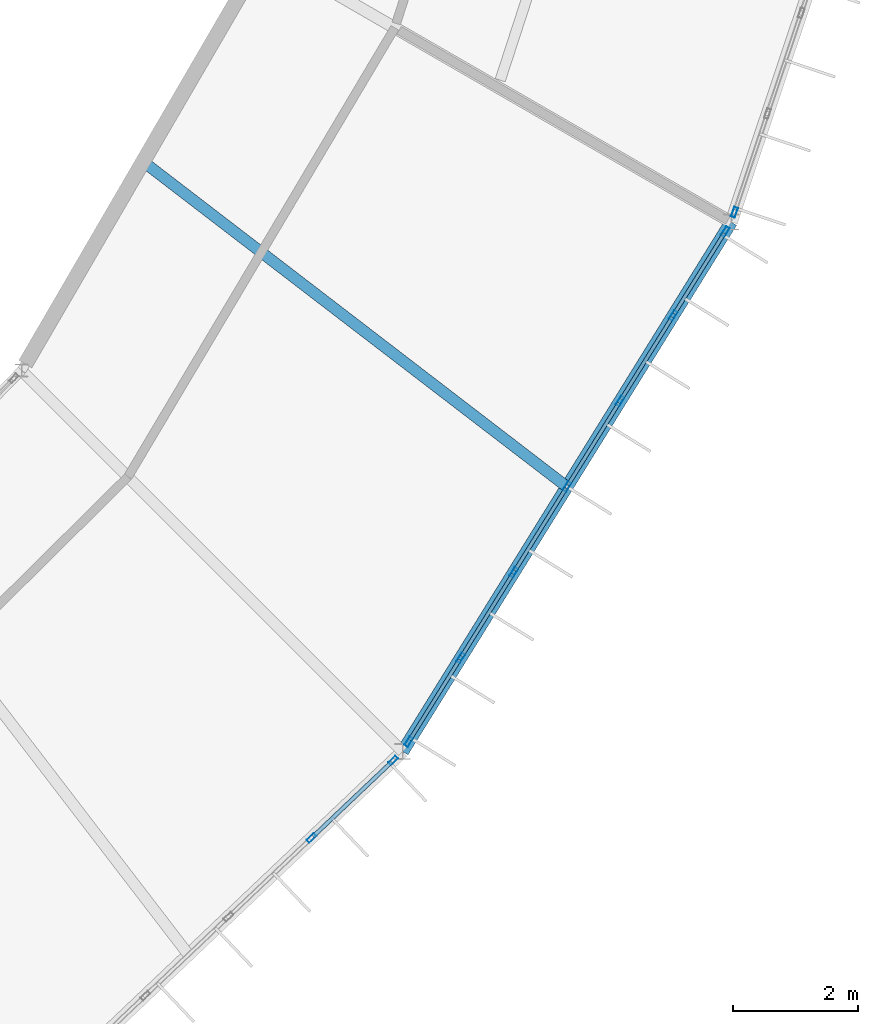
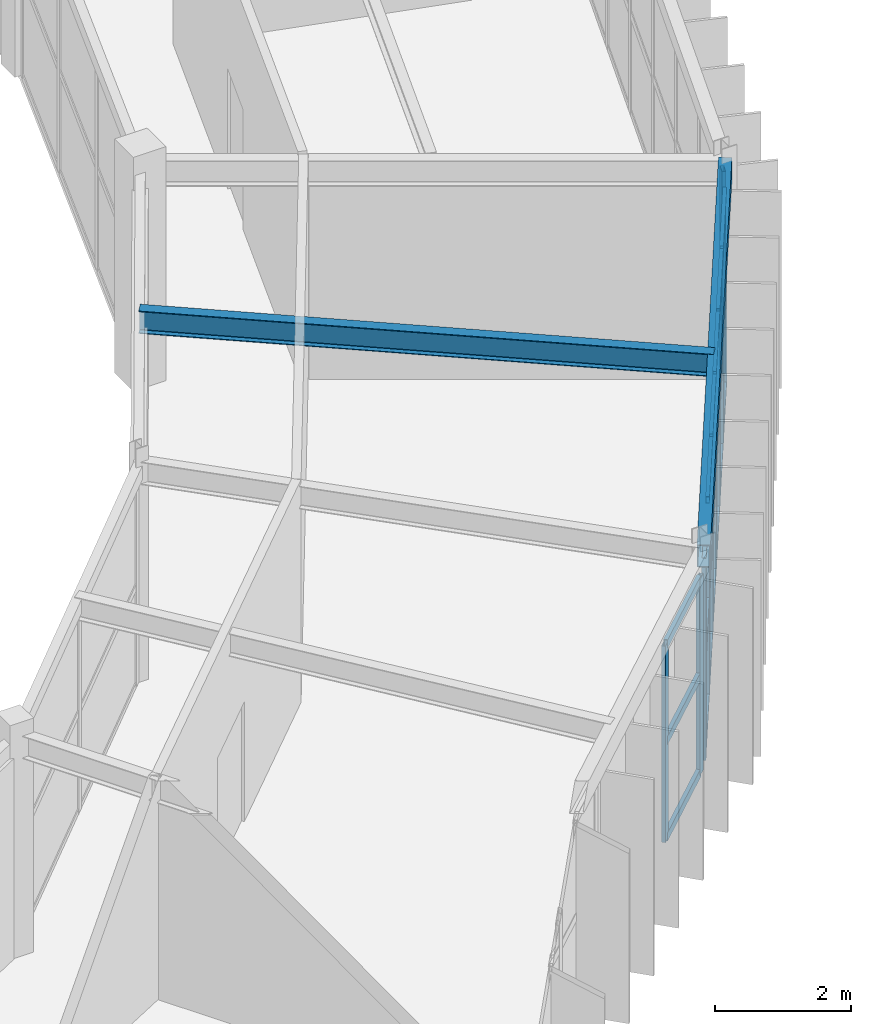
# One storey, part 40 of 106: 31 members, 2 beams, 3 elements without a shape of their own.
"""IFC4 building model written with IfcOpenShell, lengths in metres."""

from ifc_helpers import new_model, si_unit, direction, frame, origin, origin_2d, place, context, subcontext, project, spatial, hollow_rectangle, i_section, extrude, material, material_profile, profile_set, type_object, element, aggregate, save


model = new_model("IFC4")

# Units and contexts
model_context = context("Model", 3, precision=1e-05, world=origin(), true_north=direction((0.0, 1.0)))
body_context = subcontext(model_context, "Body", "Model", "MODEL_VIEW")
ifc_project = project(units=[si_unit("LENGTHUNIT", "METRE"), si_unit("AREAUNIT", "SQUARE_METRE"), si_unit("VOLUMEUNIT", "CUBIC_METRE"), si_unit("PLANEANGLEUNIT", "RADIAN"), si_unit("MASSUNIT", "GRAM", prefix="KILO")], contexts=[model_context])

# Site, building, storey
site_placement = place(None, origin())
site = spatial("IfcSite", under=ifc_project, at=site_placement, CompositionType="ELEMENT")
building_placement = place(site_placement, origin())
building = spatial("IfcBuilding", under=site, at=building_placement, Name="Karori Crest Natural Sciences Institute", CompositionType="ELEMENT")
storey_placement = place(building_placement, frame((0.0, 0.0, 25.89990234375)))
storey = spatial("IfcBuildingStorey", under=building, at=storey_placement, Name="L06", CompositionType="ELEMENT", Elevation=25.89990234375)

# Beams
ifc_material_1 = material(Name="Structural steel AS/NZS 3679.1 Grade 350", Category="steel")
ifc_material_profile_1 = material_profile(ifc_material_1, i_section(OverallWidth=0.177978515625, OverallDepth=0.406005859375, WebThickness=0.0078125, FlangeThickness=0.0126953125, FilletRadius=0.010986328125, at=origin_2d()), Name="410UB59.7")
ifc_profile_set_1 = profile_set([ifc_material_profile_1], Name="Structural steel AS/NZS 3679.1 Grade 350")
beam_type_1 = type_object("IfcBeamType", Name="BT-07", PredefinedType="BEAM", material=ifc_profile_set_1)
beam_1_placement = place(storey_placement, frame((85.59228515625, 30.465576171875, 3.739990234375), z_axis=(0.793344059053, -0.608773524363, 0.0), x_axis=(0.608773524363, 0.793344059053, 0.0)))
element("IfcBeam", 1, at=beam_1_placement, inside=storey, type_object=beam_type_1, Name="Beam B-2902", PredefinedType="BEAM", context=body_context, shape_type="SweptSolid", body=[
    extrude(i_section(OverallWidth=0.177978515625, OverallDepth=0.406005859375, WebThickness=0.0078125, FlangeThickness=0.0126953125, FilletRadius=0.010986328125, at=origin_2d()), origin(), (0.0, 0.0, 1.0), 8.5263671875),
])
ifc_material_2 = material(Name="Hollow structural steel AS/NZS 1163 Grade C350", Category="steel")
ifc_material_profile_2 = material_profile(ifc_material_2, hollow_rectangle(XDim=0.199951171875, YDim=0.39990234375, WallThickness=0.012451171875, at=origin_2d()), Name="RHS400x200x12.5")
ifc_profile_set_2 = profile_set([ifc_material_profile_2], Name="Hollow structural steel AS/NZS 1163 Grade C350")
beam_type_2 = type_object("IfcBeamType", Name="BT-14", PredefinedType="SPANDREL", material=ifc_profile_set_2)
beam_2_placement = place(storey_placement, frame((89.734619140625, 21.050048828125, 3.739990234375), z_axis=(0.527315195609, 0.849669750244, 0.0), x_axis=(-0.849669750244, 0.527315195609, 0.0)))
element("IfcBeam", 2, at=beam_2_placement, inside=storey, type_object=beam_type_2, Name="Beam B-0707", PredefinedType="SPANDREL", context=body_context, shape_type="SweptSolid", body=[
    extrude(hollow_rectangle(XDim=0.199951171875, YDim=0.39990234375, WallThickness=0.012451171875, at=origin_2d()), origin(), (0.0, 0.0, 1.0), 9.945068359375),
])

# Curtain wall, members
ifc_material_3 = material(Name="Anodised architectural aluminium 6063-T6", Category="aluminium")
curtain_wall_type_1 = type_object("IfcCurtainWallType", Name="CWT-01", PredefinedType="NOTDEFINED", material=ifc_material_3)
curtain_wall_1_placement = place(storey_placement, origin())
curtain_wall_1 = element("IfcCurtainWall", 3, at=curtain_wall_1_placement, inside=storey, type_object=curtain_wall_type_1, Name="Curtain wall CW-0214", PredefinedType="NOTDEFINED")
ifc_material_profile_3 = material_profile(ifc_material_3, hollow_rectangle(XDim=0.06494140625, YDim=0.159912109375, WallThickness=0.00390625, at=origin_2d()), Name="CWM160x65x4")
ifc_profile_set_3 = profile_set([ifc_material_profile_3], Name="Anodised architectural aluminium 6063-T6")
member_type_1 = type_object("IfcMemberType", Name="CWM-01", PredefinedType="MULLION", material=ifc_profile_set_3)
member_1_placement = place(storey_placement, frame((89.58447265625, 20.90771484375, 0.0), z_axis=(0.0, 0.0, 1.0), x_axis=(0.688250542104, -0.725473081026, 0.0)))
member_1 = element("IfcMember", 4, at=member_1_placement, type_object=member_type_1, Name="CW-0214 mullion 1", PredefinedType="MULLION", context=body_context, shape_type="SweptSolid", body=[
    extrude(hollow_rectangle(XDim=0.06494140625, YDim=0.159912109375, WallThickness=0.00390625, at=origin_2d()), origin(), (0.0, 0.0, 1.0), 3.525146484375),
])
member_2_placement = place(storey_placement, frame((88.281494140625, 19.671630859375, 0.0), z_axis=(0.0, 0.0, 1.0), x_axis=(0.688250542104, -0.725473081026, 0.0)))
member_2 = element("IfcMember", 5, at=member_2_placement, type_object=member_type_1, Name="CW-0214 mullion 2", PredefinedType="MULLION", context=body_context, shape_type="SweptSolid", body=[
    extrude(hollow_rectangle(XDim=0.06494140625, YDim=0.159912109375, WallThickness=0.00390625, at=origin_2d()), origin(), (0.0, 0.0, 1.0), 3.525146484375),
])

curtain_wall_type_2 = type_object("IfcCurtainWallType", Name="CWT-02", PredefinedType="NOTDEFINED", material=ifc_material_3)
curtain_wall_2_placement = place(storey_placement, origin())
curtain_wall_2 = element("IfcCurtainWall", 6, at=curtain_wall_2_placement, inside=storey, type_object=curtain_wall_type_2, Name="Curtain wall CW-0216", PredefinedType="NOTDEFINED")
member_3_placement = place(storey_placement, frame((94.8837890625, 29.34716796875, 0.0), z_axis=(0.0, 0.0, 1.0), x_axis=(0.849664350398, -0.527323896352, 0.0)))
member_3 = element("IfcMember", 7, at=member_3_placement, type_object=member_type_1, Name="CW-0216 mullion 1", PredefinedType="MULLION", context=body_context, shape_type="SweptSolid", body=[
    extrude(hollow_rectangle(XDim=0.06494140625, YDim=0.159912109375, WallThickness=0.00390625, at=origin_2d()), origin(), (0.0, 0.0, 1.0), 3.525146484375),
])
member_4_placement = place(storey_placement, frame((94.05322265625, 28.008544921875, 0.0), z_axis=(0.0, 0.0, 1.0), x_axis=(0.849664350398, -0.527323896352, 0.0)))
member_4 = element("IfcMember", 8, at=member_4_placement, type_object=member_type_1, Name="CW-0216 mullion 2", PredefinedType="MULLION", context=body_context, shape_type="SweptSolid", body=[
    extrude(hollow_rectangle(XDim=0.06494140625, YDim=0.159912109375, WallThickness=0.00390625, at=origin_2d()), origin(), (0.0, 0.0, 1.0), 3.525146484375),
])
member_5_placement = place(storey_placement, frame((93.205322265625, 26.642578125, 0.0), z_axis=(0.0, 0.0, 1.0), x_axis=(0.849664350398, -0.527323896352, 0.0)))
member_5 = element("IfcMember", 9, at=member_5_placement, type_object=member_type_1, Name="CW-0216 mullion 3", PredefinedType="MULLION", context=body_context, shape_type="SweptSolid", body=[
    extrude(hollow_rectangle(XDim=0.06494140625, YDim=0.159912109375, WallThickness=0.00390625, at=origin_2d()), origin(), (0.0, 0.0, 1.0), 3.525146484375),
])
member_6_placement = place(storey_placement, frame((92.357666015625, 25.276611328125, 0.0), z_axis=(0.0, 0.0, 1.0), x_axis=(0.849664350398, -0.527323896352, 0.0)))
member_6 = element("IfcMember", 10, at=member_6_placement, type_object=member_type_1, Name="CW-0216 mullion 4", PredefinedType="MULLION", context=body_context, shape_type="SweptSolid", body=[
    extrude(hollow_rectangle(XDim=0.06494140625, YDim=0.159912109375, WallThickness=0.00390625, at=origin_2d()), origin(), (0.0, 0.0, 1.0), 3.525146484375),
])
member_7_placement = place(storey_placement, frame((91.509765625, 23.910400390625, 0.0), z_axis=(0.0, 0.0, 1.0), x_axis=(0.849664350398, -0.527323896352, 0.0)))
member_7 = element("IfcMember", 11, at=member_7_placement, type_object=member_type_1, Name="CW-0216 mullion 5", PredefinedType="MULLION", context=body_context, shape_type="SweptSolid", body=[
    extrude(hollow_rectangle(XDim=0.06494140625, YDim=0.159912109375, WallThickness=0.00390625, at=origin_2d()), origin(), (0.0, 0.0, 1.0), 3.525146484375),
])
member_8_placement = place(storey_placement, frame((90.661865234375, 22.54443359375, 0.0), z_axis=(0.0, 0.0, 1.0), x_axis=(0.849664350398, -0.527323896352, 0.0)))
member_8 = element("IfcMember", 12, at=member_8_placement, type_object=member_type_1, Name="CW-0216 mullion 6", PredefinedType="MULLION", context=body_context, shape_type="SweptSolid", body=[
    extrude(hollow_rectangle(XDim=0.06494140625, YDim=0.159912109375, WallThickness=0.00390625, at=origin_2d()), origin(), (0.0, 0.0, 1.0), 3.525146484375),
])
member_9_placement = place(storey_placement, frame((89.831298828125, 21.205810546875, 0.0), z_axis=(0.0, 0.0, 1.0), x_axis=(0.849664350398, -0.527323896352, 0.0)))
member_9 = element("IfcMember", 13, at=member_9_placement, type_object=member_type_1, Name="CW-0216 mullion 7", PredefinedType="MULLION", context=body_context, shape_type="SweptSolid", body=[
    extrude(hollow_rectangle(XDim=0.06494140625, YDim=0.159912109375, WallThickness=0.00390625, at=origin_2d()), origin(), (0.0, 0.0, 1.0), 3.525146484375),
])

# Curtain wall, member
curtain_wall_type_3 = type_object("IfcCurtainWallType", Name="CWT-03", PredefinedType="NOTDEFINED", material=ifc_material_3)
curtain_wall_3_placement = place(storey_placement, origin())
curtain_wall_3 = element("IfcCurtainWall", 14, at=curtain_wall_3_placement, inside=storey, type_object=curtain_wall_type_3, Name="Curtain wall CW-0217", PredefinedType="NOTDEFINED")
member_10_placement = place(storey_placement, frame((95.031005859375, 29.656005859375, 0.0), z_axis=(0.0, 0.0, 1.0), x_axis=(0.94819805026, -0.317679803392, 0.0)))
member_10 = element("IfcMember", 15, at=member_10_placement, type_object=member_type_1, Name="CW-0217 mullion 7", PredefinedType="MULLION", context=body_context, shape_type="SweptSolid", body=[
    extrude(hollow_rectangle(XDim=0.06494140625, YDim=0.159912109375, WallThickness=0.00390625, at=origin_2d()), origin(), (0.0, 0.0, 1.0), 3.625),
])
aggregate(curtain_wall_3, [member_10])

# Member
ifc_material_profile_4 = material_profile(ifc_material_3, hollow_rectangle(XDim=0.06005859375, YDim=0.1201171875, WallThickness=0.00390625, at=origin_2d()), Name="CWT120x60x4")
ifc_profile_set_4 = profile_set([ifc_material_profile_4], Name="Anodised architectural aluminium 6063-T6")
member_type_2 = type_object("IfcMemberType", Name="CWT-TR1", PredefinedType="USERDEFINED", material=ifc_profile_set_4)
member_11_placement = place(storey_placement, frame((94.86669921875, 29.319580078125, 0.030029296875), z_axis=(-0.527250198919, -0.849710084523, 0.0), x_axis=(0.849710084523, -0.527250198919, 0.0)))
member_11 = element("IfcMember", 16, at=member_11_placement, type_object=member_type_2, Name="CW-0216 transom 1.1", ObjectType="TRANSOM", PredefinedType="USERDEFINED", context=body_context, shape_type="SweptSolid", body=[
    extrude(hollow_rectangle(XDim=0.06005859375, YDim=0.1201171875, WallThickness=0.00390625, at=origin_2d()), origin(), (0.0, 0.0, 1.0), 1.510498046875),
])

member_12_placement = place(storey_placement, frame((94.86669921875, 29.319580078125, 1.7626953125), z_axis=(-0.527250198919, -0.849710084523, 0.0), x_axis=(0.849710084523, -0.527250198919, 0.0)))
member_12 = element("IfcMember", 17, at=member_12_placement, type_object=member_type_2, Name="CW-0216 transom 1.2", ObjectType="TRANSOM", PredefinedType="USERDEFINED", context=body_context, shape_type="SweptSolid", body=[
    extrude(hollow_rectangle(XDim=0.06005859375, YDim=0.1201171875, WallThickness=0.00390625, at=origin_2d()), origin(), (0.0, 0.0, 1.0), 1.510498046875),
])

member_13_placement = place(storey_placement, frame((94.86669921875, 29.319580078125, 3.4951171875), z_axis=(-0.527250198919, -0.849710084523, 0.0), x_axis=(0.849710084523, -0.527250198919, 0.0)))
member_13 = element("IfcMember", 18, at=member_13_placement, type_object=member_type_2, Name="CW-0216 transom 1.3", ObjectType="TRANSOM", PredefinedType="USERDEFINED", context=body_context, shape_type="SweptSolid", body=[
    extrude(hollow_rectangle(XDim=0.06005859375, YDim=0.1201171875, WallThickness=0.00390625, at=origin_2d()), origin(), (0.0, 0.0, 1.0), 1.510498046875),
])

member_14_placement = place(storey_placement, frame((94.0361328125, 27.98095703125, 0.030029296875), z_axis=(-0.527421946724, -0.849603489937, 0.0), x_axis=(0.849603489937, -0.527421946724, 0.0)))
member_14 = element("IfcMember", 19, at=member_14_placement, type_object=member_type_2, Name="CW-0216 transom 2.1", ObjectType="TRANSOM", PredefinedType="USERDEFINED", context=body_context, shape_type="SweptSolid", body=[
    extrude(hollow_rectangle(XDim=0.06005859375, YDim=0.1201171875, WallThickness=0.00390625, at=origin_2d()), origin(), (0.0, 0.0, 1.0), 1.542724609375),
])

member_15_placement = place(storey_placement, frame((94.0361328125, 27.98095703125, 1.7626953125), z_axis=(-0.527421946724, -0.849603489937, 0.0), x_axis=(0.849603489937, -0.527421946724, 0.0)))
member_15 = element("IfcMember", 20, at=member_15_placement, type_object=member_type_2, Name="CW-0216 transom 2.2", ObjectType="TRANSOM", PredefinedType="USERDEFINED", context=body_context, shape_type="SweptSolid", body=[
    extrude(hollow_rectangle(XDim=0.06005859375, YDim=0.1201171875, WallThickness=0.00390625, at=origin_2d()), origin(), (0.0, 0.0, 1.0), 1.542724609375),
])

member_16_placement = place(storey_placement, frame((94.0361328125, 27.98095703125, 3.4951171875), z_axis=(-0.527421946724, -0.849603489937, 0.0), x_axis=(0.849603489937, -0.527421946724, 0.0)))
member_16 = element("IfcMember", 21, at=member_16_placement, type_object=member_type_2, Name="CW-0216 transom 2.3", ObjectType="TRANSOM", PredefinedType="USERDEFINED", context=body_context, shape_type="SweptSolid", body=[
    extrude(hollow_rectangle(XDim=0.06005859375, YDim=0.1201171875, WallThickness=0.00390625, at=origin_2d()), origin(), (0.0, 0.0, 1.0), 1.542724609375),
])

member_17_placement = place(storey_placement, frame((93.188232421875, 26.614990234375, 0.030029296875), z_axis=(-0.527307708925, -0.849674396524, 0.0), x_axis=(0.849674396524, -0.527307708925, 0.0)))
member_17 = element("IfcMember", 22, at=member_17_placement, type_object=member_type_2, Name="CW-0216 transom 3.1", ObjectType="TRANSOM", PredefinedType="USERDEFINED", context=body_context, shape_type="SweptSolid", body=[
    extrude(hollow_rectangle(XDim=0.06005859375, YDim=0.1201171875, WallThickness=0.00390625, at=origin_2d()), origin(), (0.0, 0.0, 1.0), 1.542724609375),
])

member_18_placement = place(storey_placement, frame((93.188232421875, 26.614990234375, 1.7626953125), z_axis=(-0.527307708925, -0.849674396524, 0.0), x_axis=(0.849674396524, -0.527307708925, 0.0)))
member_18 = element("IfcMember", 23, at=member_18_placement, type_object=member_type_2, Name="CW-0216 transom 3.2", ObjectType="TRANSOM", PredefinedType="USERDEFINED", context=body_context, shape_type="SweptSolid", body=[
    extrude(hollow_rectangle(XDim=0.06005859375, YDim=0.1201171875, WallThickness=0.00390625, at=origin_2d()), origin(), (0.0, 0.0, 1.0), 1.542724609375),
])

member_19_placement = place(storey_placement, frame((93.188232421875, 26.614990234375, 3.4951171875), z_axis=(-0.527307708925, -0.849674396524, 0.0), x_axis=(0.849674396524, -0.527307708925, 0.0)))
member_19 = element("IfcMember", 24, at=member_19_placement, type_object=member_type_2, Name="CW-0216 transom 3.3", ObjectType="TRANSOM", PredefinedType="USERDEFINED", context=body_context, shape_type="SweptSolid", body=[
    extrude(hollow_rectangle(XDim=0.06005859375, YDim=0.1201171875, WallThickness=0.00390625, at=origin_2d()), origin(), (0.0, 0.0, 1.0), 1.542724609375),
])

member_20_placement = place(storey_placement, frame((92.34033203125, 25.248779296875, 0.030029296875), z_axis=(-0.527307708925, -0.849674396524, 0.0), x_axis=(0.849674396524, -0.527307708925, 0.0)))
member_20 = element("IfcMember", 25, at=member_20_placement, type_object=member_type_2, Name="CW-0216 transom 4.1", ObjectType="TRANSOM", PredefinedType="USERDEFINED", context=body_context, shape_type="SweptSolid", body=[
    extrude(hollow_rectangle(XDim=0.06005859375, YDim=0.1201171875, WallThickness=0.00390625, at=origin_2d()), origin(), (0.0, 0.0, 1.0), 1.542724609375),
])

member_21_placement = place(storey_placement, frame((92.34033203125, 25.248779296875, 1.7626953125), z_axis=(-0.527307708925, -0.849674396524, 0.0), x_axis=(0.849674396524, -0.527307708925, 0.0)))
member_21 = element("IfcMember", 26, at=member_21_placement, type_object=member_type_2, Name="CW-0216 transom 4.2", ObjectType="TRANSOM", PredefinedType="USERDEFINED", context=body_context, shape_type="SweptSolid", body=[
    extrude(hollow_rectangle(XDim=0.06005859375, YDim=0.1201171875, WallThickness=0.00390625, at=origin_2d()), origin(), (0.0, 0.0, 1.0), 1.542724609375),
])

member_22_placement = place(storey_placement, frame((92.34033203125, 25.248779296875, 3.4951171875), z_axis=(-0.527307708925, -0.849674396524, 0.0), x_axis=(0.849674396524, -0.527307708925, 0.0)))
member_22 = element("IfcMember", 27, at=member_22_placement, type_object=member_type_2, Name="CW-0216 transom 4.3", ObjectType="TRANSOM", PredefinedType="USERDEFINED", context=body_context, shape_type="SweptSolid", body=[
    extrude(hollow_rectangle(XDim=0.06005859375, YDim=0.1201171875, WallThickness=0.00390625, at=origin_2d()), origin(), (0.0, 0.0, 1.0), 1.542724609375),
])

member_23_placement = place(storey_placement, frame((91.49267578125, 23.8828125, 0.030029296875), z_axis=(-0.527421946724, -0.849603489937, 0.0), x_axis=(0.849603489937, -0.527421946724, 0.0)))
member_23 = element("IfcMember", 28, at=member_23_placement, type_object=member_type_2, Name="CW-0216 transom 5.1", ObjectType="TRANSOM", PredefinedType="USERDEFINED", context=body_context, shape_type="SweptSolid", body=[
    extrude(hollow_rectangle(XDim=0.06005859375, YDim=0.1201171875, WallThickness=0.00390625, at=origin_2d()), origin(), (0.0, 0.0, 1.0), 1.542724609375),
])

member_24_placement = place(storey_placement, frame((91.49267578125, 23.8828125, 1.7626953125), z_axis=(-0.527421946724, -0.849603489937, 0.0), x_axis=(0.849603489937, -0.527421946724, 0.0)))
member_24 = element("IfcMember", 29, at=member_24_placement, type_object=member_type_2, Name="CW-0216 transom 5.2", ObjectType="TRANSOM", PredefinedType="USERDEFINED", context=body_context, shape_type="SweptSolid", body=[
    extrude(hollow_rectangle(XDim=0.06005859375, YDim=0.1201171875, WallThickness=0.00390625, at=origin_2d()), origin(), (0.0, 0.0, 1.0), 1.542724609375),
])

member_25_placement = place(storey_placement, frame((91.49267578125, 23.8828125, 3.4951171875), z_axis=(-0.527421946724, -0.849603489937, 0.0), x_axis=(0.849603489937, -0.527421946724, 0.0)))
member_25 = element("IfcMember", 30, at=member_25_placement, type_object=member_type_2, Name="CW-0216 transom 5.3", ObjectType="TRANSOM", PredefinedType="USERDEFINED", context=body_context, shape_type="SweptSolid", body=[
    extrude(hollow_rectangle(XDim=0.06005859375, YDim=0.1201171875, WallThickness=0.00390625, at=origin_2d()), origin(), (0.0, 0.0, 1.0), 1.542724609375),
])

member_26_placement = place(storey_placement, frame((90.644775390625, 22.516845703125, 0.030029296875), z_axis=(-0.52732262058, -0.849665142173, 0.0), x_axis=(0.849665142173, -0.52732262058, 0.0)))
member_26 = element("IfcMember", 31, at=member_26_placement, type_object=member_type_2, Name="CW-0216 transom 6.1", ObjectType="TRANSOM", PredefinedType="USERDEFINED", context=body_context, shape_type="SweptSolid", body=[
    extrude(hollow_rectangle(XDim=0.06005859375, YDim=0.1201171875, WallThickness=0.00390625, at=origin_2d()), origin(), (0.0, 0.0, 1.0), 1.51025390625),
])

member_27_placement = place(storey_placement, frame((90.644775390625, 22.516845703125, 1.7626953125), z_axis=(-0.52732262058, -0.849665142173, 0.0), x_axis=(0.849665142173, -0.52732262058, 0.0)))
member_27 = element("IfcMember", 32, at=member_27_placement, type_object=member_type_2, Name="CW-0216 transom 6.2", ObjectType="TRANSOM", PredefinedType="USERDEFINED", context=body_context, shape_type="SweptSolid", body=[
    extrude(hollow_rectangle(XDim=0.06005859375, YDim=0.1201171875, WallThickness=0.00390625, at=origin_2d()), origin(), (0.0, 0.0, 1.0), 1.51025390625),
])

member_28_placement = place(storey_placement, frame((90.644775390625, 22.516845703125, 3.4951171875), z_axis=(-0.52732262058, -0.849665142173, 0.0), x_axis=(0.849665142173, -0.52732262058, 0.0)))
member_28 = element("IfcMember", 33, at=member_28_placement, type_object=member_type_2, Name="CW-0216 transom 6.3", ObjectType="TRANSOM", PredefinedType="USERDEFINED", context=body_context, shape_type="SweptSolid", body=[
    extrude(hollow_rectangle(XDim=0.06005859375, YDim=0.1201171875, WallThickness=0.00390625, at=origin_2d()), origin(), (0.0, 0.0, 1.0), 1.51025390625),
])

aggregate(curtain_wall_2, [member_3, member_4, member_5, member_6, member_7, member_8, member_9, member_11, member_12, member_13, member_14, member_15, member_16, member_17, member_18, member_19, member_20, member_21, member_22, member_23, member_24, member_25, member_26, member_27, member_28])

ifc_material_profile_5 = material_profile(ifc_material_3, hollow_rectangle(XDim=0.06494140625, YDim=0.14990234375, WallThickness=0.00390625, at=origin_2d()), Name="CWT150x65x4")
ifc_profile_set_5 = profile_set([ifc_material_profile_5], Name="Anodised architectural aluminium 6063-T6")
member_type_3 = type_object("IfcMemberType", Name="CWT-TR2", PredefinedType="USERDEFINED", material=ifc_profile_set_5)
member_29_placement = place(storey_placement, frame((89.560791015625, 20.88525390625, 0.03271484375), z_axis=(-0.725411327963, -0.6883156291, 0.0), x_axis=(0.6883156291, -0.725411327963, 0.0)))
member_29 = element("IfcMember", 34, at=member_29_placement, type_object=member_type_3, Name="CW-0214 transom 1.1", ObjectType="TRANSOM", PredefinedType="USERDEFINED", context=body_context, shape_type="SweptSolid", body=[
    extrude(hollow_rectangle(XDim=0.06494140625, YDim=0.14990234375, WallThickness=0.00390625, at=origin_2d()), origin(), (0.0, 0.0, 1.0), 1.73095703125),
])

member_30_placement = place(storey_placement, frame((89.560791015625, 20.88525390625, 1.7626953125), z_axis=(-0.725411327963, -0.6883156291, 0.0), x_axis=(0.6883156291, -0.725411327963, 0.0)))
member_30 = element("IfcMember", 35, at=member_30_placement, type_object=member_type_3, Name="CW-0214 transom 1.2", ObjectType="TRANSOM", PredefinedType="USERDEFINED", context=body_context, shape_type="SweptSolid", body=[
    extrude(hollow_rectangle(XDim=0.06494140625, YDim=0.14990234375, WallThickness=0.00390625, at=origin_2d()), origin(), (0.0, 0.0, 1.0), 1.73095703125),
])

member_31_placement = place(storey_placement, frame((89.560791015625, 20.88525390625, 3.49267578125), z_axis=(-0.725411327963, -0.6883156291, 0.0), x_axis=(0.6883156291, -0.725411327963, 0.0)))
member_31 = element("IfcMember", 36, at=member_31_placement, type_object=member_type_3, Name="CW-0214 transom 1.3", ObjectType="TRANSOM", PredefinedType="USERDEFINED", context=body_context, shape_type="SweptSolid", body=[
    extrude(hollow_rectangle(XDim=0.06494140625, YDim=0.14990234375, WallThickness=0.00390625, at=origin_2d()), origin(), (0.0, 0.0, 1.0), 1.73095703125),
])

aggregate(curtain_wall_1, [member_1, member_2, member_29, member_30, member_31])

save(model, "model.ifc")
